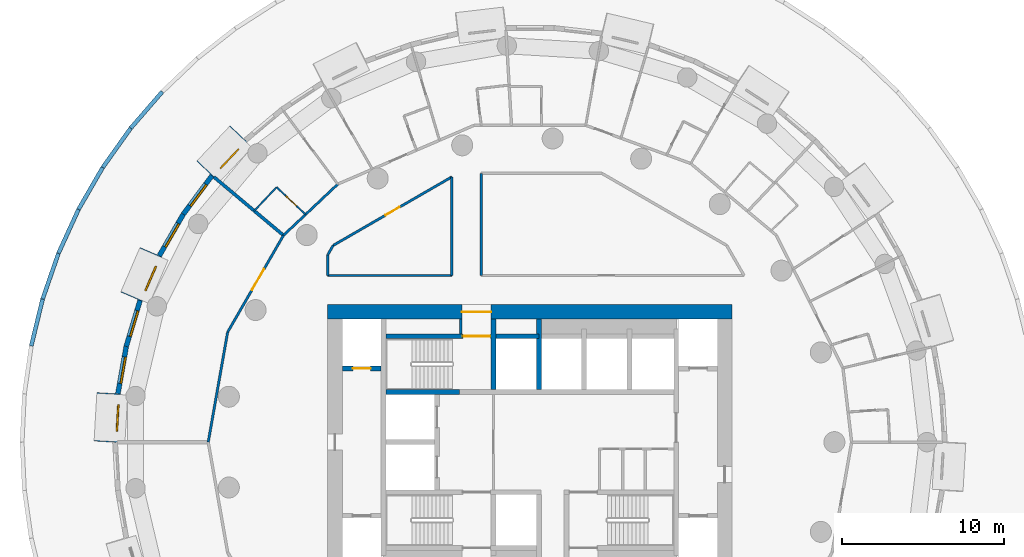
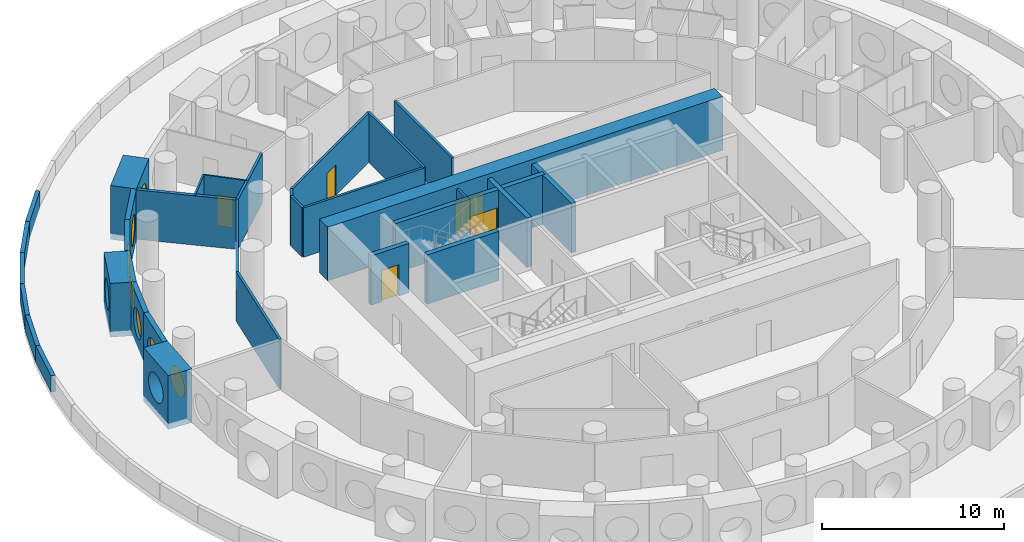
# One storey, part 6 of 13: 34 walls, 7 windows, 6 doors, 13 openings.
"""IFC4 building model written with IfcOpenShell, lengths in metres."""

from ifc_helpers import new_model, si_unit, direction, frame, frame_2d, origin, origin_2d, place, context, subcontext, project, spatial, rectangle, circle, extrude, material, layer, layer_set, type_object, element, fill, save


model = new_model("IFC4")

# Units and contexts
model_context = context("Model", 3, precision=1e-05, world=origin(), true_north=direction((0.0, 1.0)))
body_context = subcontext(model_context, "Body", "Model", "MODEL_VIEW")
ifc_project = project(units=[si_unit("LENGTHUNIT", "METRE"), si_unit("AREAUNIT", "SQUARE_METRE"), si_unit("VOLUMEUNIT", "CUBIC_METRE"), si_unit("PLANEANGLEUNIT", "RADIAN"), si_unit("MASSUNIT", "GRAM", prefix="KILO")], contexts=[model_context])

# Site, building, storey
site_placement = place(None, origin())
site = spatial("IfcSite", under=ifc_project, at=site_placement, CompositionType="ELEMENT")
building_placement = place(site_placement, origin())
building = spatial("IfcBuilding", under=site, at=building_placement, Name="Tracery Tower", CompositionType="ELEMENT")
storey_placement = place(building_placement, frame((0.0, 0.0, 126.0)))
storey = spatial("IfcBuildingStorey", under=building, at=storey_placement, Name="L31", CompositionType="ELEMENT", Elevation=126.0)

# Wall
ifc_material_1 = material(Name="Plasterboard on steel studs", Category="steel")
ifc_layer_1 = layer(ifc_material_1, 0.14990234375)
ifc_layer_set_1 = layer_set([ifc_layer_1], Name="Core room partition 150")
wall_type_1 = type_object("IfcWallType", Name="Core room partition 150", PredefinedType="SOLIDWALL", material=ifc_layer_set_1)
wall_1_placement = place(storey_placement, frame((-4.27490234375, 6.699951171875, 0.0), z_axis=(0.0, 0.0, 1.0), x_axis=(0.0, 1.0, 0.0)))
element("IfcWall", 1, at=wall_1_placement, inside=storey, type_object=wall_type_1, Name="L31 F N room", PredefinedType="SOLIDWALL", context=body_context, shape_type="SweptSolid", body=[
    extrude(rectangle(XDim=0.900146484375, YDim=0.14990234375, at=frame_2d((0.4501953125, 0.0))), origin(), (0.0, 0.0, 1.0), 3.300048828125),
])

# Wall, opening, door
ifc_material_2 = material(Name="Concrete C50/60", Category="concrete")
ifc_layer_2 = layer(ifc_material_2, 0.89990234375)
ifc_layer_set_2 = layer_set([ifc_layer_2], Name="Core wall 900 C50")
wall_type_2 = type_object("IfcWallType", Name="Core wall 900 C50", PredefinedType="SOLIDWALL", material=ifc_layer_set_2)
wall_2_placement = place(storey_placement, frame((-12.5, 8.050048828125, 0.0), z_axis=(0.0, 0.0, 1.0), x_axis=(1.0, 0.0, 0.0)))
wall_2 = element("IfcWall", 2, at=wall_2_placement, inside=storey, type_object=wall_type_2, Name="L31 outer N", PredefinedType="SOLIDWALL", context=body_context, shape_type="SweptSolid", body=[
    extrude(rectangle(XDim=25.0, YDim=0.89990234375, at=frame_2d((12.5, 0.0))), origin(), (0.0, 0.0, 1.0), 3.60009765625),
])
opening_1_placement = place(wall_2_placement, frame((8.300048828125, 0.0, 0.0)))
opening_1 = element("IfcOpeningElement", 3, at=opening_1_placement, cuts=wall_2, Name="Opening KD13", PredefinedType="OPENING", context=body_context, shape_type="SweptSolid", body=[
    extrude(rectangle(XDim=1.800048828125, YDim=2.10009765625, at=frame_2d((0.89990234375, 1.050048828125))), frame((0.0, 0.449951171875, 0.0), z_axis=(0.0, -1.0, 0.0), x_axis=(1.0, 0.0, 0.0)), (0.0, 0.0, 1.0), 0.89990234375),
])
ifc_material_3 = material(Name="Steel fire door", Category="steel")
door_type_1 = type_object("IfcDoorType", Name="Core exit door 1800 double", OperationType="NOTDEFINED", PredefinedType="DOOR", material=ifc_material_3)
door_1_placement = place(opening_1_placement, origin())
door_1 = element("IfcDoor", 4, at=door_1_placement, inside=storey, type_object=door_type_1, Name="Core exit door", OperationType="DOUBLE_DOOR_SINGLE_SWING", OverallHeight=2.10009765625, OverallWidth=1.800048828125, PredefinedType="DOOR", context=body_context, shape_type="SweptSolid", body=[
    extrude(rectangle(XDim=1.800048828125, YDim=2.10009765625, at=frame_2d((0.89990234375, 1.050048828125))), frame((0.0, 0.02490234375, 0.0), z_axis=(0.0, -1.0, 0.0), x_axis=(1.0, 0.0, 0.0)), (0.0, 0.0, 1.0), 0.050048828125),
])
fill(opening_1, door_1)

# Wall, opening, window
ifc_material_4 = material(Name="Precast concrete C50/60", Category="concrete")
ifc_layer_3 = layer(ifc_material_4, 1.449951171875)
ifc_layer_set_3 = layer_set([ifc_layer_3], Name="Deep-set bay unit 3000 x 3600, slab edge 300")
wall_type_3 = type_object("IfcWallType", Name="Deep-set bay unit 3000 x 3600, slab edge 300", PredefinedType="ELEMENTEDWALL", material=ifc_layer_set_3)
wall_3_placement = place(storey_placement, frame((-18.0126953125, 19.05615234375, -0.300048828125), z_axis=(0.0, 0.0, 1.0), x_axis=(-0.686217177108, -0.727396718334, 0.0)))
wall_3 = element("IfcWall", 5, at=wall_3_placement, inside=storey, type_object=wall_type_3, Name="Deep-set bay unit 21 at L31", PredefinedType="ELEMENTEDWALL", context=body_context, shape_type="SweptSolid", body=[
    extrude(rectangle(XDim=3.0, YDim=1.449951171875, at=frame_2d((1.5, 0.0))), origin(), (0.0, 0.0, 1.0), 3.60009765625),
])
opening_2_placement = place(wall_3_placement, frame((1.5, 0.0, 1.85009765625)))
opening_2 = element("IfcOpeningElement", 6, at=opening_2_placement, cuts=wall_3, Name="Opening WN1", PredefinedType="OPENING", context=body_context, shape_type="SweptSolid", body=[
    extrude(circle(Radius=0.9000244140625, at=origin_2d()), frame((0.0, 0.73486328125, 0.0), z_axis=(0.0, -1.0, 0.0), x_axis=(1.0, 0.0, 0.0)), (0.0, 0.0, 1.0), 1.469970703125),
])
ifc_material_5 = material(Name="Aluminium frame with tinted double glazing", Category="aluminium")
window_type = type_object("IfcWindowType", Name="Round window 1800", PartitioningType="SINGLE_PANEL", PredefinedType="WINDOW", material=ifc_material_5)
window_1_placement = place(opening_2_placement, origin())
window_1 = element("IfcWindow", 7, at=window_1_placement, inside=storey, type_object=window_type, Name="Round window 21 at L31", OverallHeight=1.800048828125, OverallWidth=1.800048828125, PartitioningType="SINGLE_PANEL", PredefinedType="WINDOW", context=body_context, shape_type="SweptSolid", body=[
    extrude(circle(Radius=0.9000244140625, at=origin_2d()), frame((0.0, 0.69482421875, 0.0), z_axis=(0.0, -1.0, 0.0), x_axis=(1.0, 0.0, 0.0)), (0.0, 0.0, 1.0), 0.10009765625),
])
fill(opening_2, window_1)

wall_4_placement = place(storey_placement, frame((-23.44384765625, 11.746337890625, -0.300048828125), z_axis=(0.0, 0.0, 1.0), x_axis=(-0.396079003245, -0.918216435917, 0.0)))
wall_4 = element("IfcWall", 8, at=wall_4_placement, inside=storey, type_object=wall_type_3, Name="Deep-set bay unit 24 at L31", PredefinedType="ELEMENTEDWALL", context=body_context, shape_type="SweptSolid", body=[
    extrude(rectangle(XDim=3.0, YDim=1.449951171875, at=frame_2d((1.5, 0.0))), origin(), (0.0, 0.0, 1.0), 3.60009765625),
])
opening_3_placement = place(wall_4_placement, frame((1.5, 0.0, 1.85009765625)))
opening_3 = element("IfcOpeningElement", 9, at=opening_3_placement, cuts=wall_4, Name="Opening WN1", PredefinedType="OPENING", context=body_context, shape_type="SweptSolid", body=[
    extrude(circle(Radius=0.9000244140625, at=origin_2d()), frame((0.0, 0.73486328125, 0.0), z_axis=(0.0, -1.0, 0.0), x_axis=(1.0, 0.0, 0.0)), (0.0, 0.0, 1.0), 1.469970703125),
])
window_2_placement = place(opening_3_placement, origin())
window_2 = element("IfcWindow", 10, at=window_2_placement, inside=storey, type_object=window_type, Name="Round window 24 at L31", OverallHeight=1.800048828125, OverallWidth=1.800048828125, PartitioningType="SINGLE_PANEL", PredefinedType="WINDOW", context=body_context, shape_type="SweptSolid", body=[
    extrude(circle(Radius=0.9000244140625, at=origin_2d()), frame((0.0, 0.69482421875, 0.0), z_axis=(0.0, -1.0, 0.0), x_axis=(1.0, 0.0, 0.0)), (0.0, 0.0, 1.0), 0.10009765625),
])
fill(opening_3, window_2)

wall_5_placement = place(storey_placement, frame((-26.047607421875, 3.01953125, -0.300048828125), z_axis=(0.0, 0.0, 1.0), x_axis=(-0.058106596105, -0.998310384344, 0.0)))
wall_5 = element("IfcWall", 11, at=wall_5_placement, inside=storey, type_object=wall_type_3, Name="Deep-set bay unit 27 at L31", PredefinedType="ELEMENTEDWALL", context=body_context, shape_type="SweptSolid", body=[
    extrude(rectangle(XDim=3.0, YDim=1.449951171875, at=frame_2d((1.5, 0.0))), origin(), (0.0, 0.0, 1.0), 3.60009765625),
])
opening_4_placement = place(wall_5_placement, frame((1.5, 0.0, 1.85009765625)))
opening_4 = element("IfcOpeningElement", 12, at=opening_4_placement, cuts=wall_5, Name="Opening WN1", PredefinedType="OPENING", context=body_context, shape_type="SweptSolid", body=[
    extrude(circle(Radius=0.9000244140625, at=origin_2d()), frame((0.0, 0.73486328125, 0.0), z_axis=(0.0, -1.0, 0.0), x_axis=(1.0, 0.0, 0.0)), (0.0, 0.0, 1.0), 1.469970703125),
])
window_3_placement = place(opening_4_placement, origin())
window_3 = element("IfcWindow", 13, at=window_3_placement, inside=storey, type_object=window_type, Name="Round window 27 at L31", OverallHeight=1.800048828125, OverallWidth=1.800048828125, PartitioningType="SINGLE_PANEL", PredefinedType="WINDOW", context=body_context, shape_type="SweptSolid", body=[
    extrude(circle(Radius=0.9000244140625, at=origin_2d()), frame((0.0, 0.69482421875, 0.0), z_axis=(0.0, -1.0, 0.0), x_axis=(1.0, 0.0, 0.0)), (0.0, 0.0, 1.0), 0.10009765625),
])
fill(opening_4, window_3)

ifc_material_6 = material(Name="Precast concrete C50/60", Category="concrete")
ifc_layer_4 = layer(ifc_material_6, 0.300048828125)
ifc_layer_set_4 = layer_set([ifc_layer_4], Name="Facade panel 3000 x 3300")
wall_type_4 = type_object("IfcWallType", Name="Facade panel 3000 x 3300", PredefinedType="SOLIDWALL", material=ifc_layer_set_4)
wall_6_placement = place(storey_placement, frame((-19.65283203125, 16.47802734375, 0.0), z_axis=(0.0, 0.0, 1.0), x_axis=(-0.597197580538, -0.80209416517, 0.0)))
wall_6 = element("IfcWall", 14, at=wall_6_placement, inside=storey, type_object=wall_type_4, Name="Facade panel 22 at L31", PredefinedType="SOLIDWALL", context=body_context, shape_type="SweptSolid", body=[
    extrude(rectangle(XDim=2.972900390625, YDim=0.300048828125, at=frame_2d((1.486328125, 0.0))), origin(), (0.0, 0.0, 1.0), 3.300048828125),
])
opening_5_placement = place(wall_6_placement, frame((1.486328125, 0.0, 1.5498046875)))
opening_5 = element("IfcOpeningElement", 15, at=opening_5_placement, cuts=wall_6, Name="Opening WN1", PredefinedType="OPENING", context=body_context, shape_type="SweptSolid", body=[
    extrude(circle(Radius=0.9000244140625, at=origin_2d()), frame((0.0, 0.159912109375, 0.0), z_axis=(0.0, -1.0, 0.0), x_axis=(1.0, 0.0, 0.0)), (0.0, 0.0, 1.0), 0.320068359375),
])
window_4_placement = place(opening_5_placement, origin())
window_4 = element("IfcWindow", 16, at=window_4_placement, inside=storey, type_object=window_type, Name="Round window 22 at L31", OverallHeight=1.800048828125, OverallWidth=1.800048828125, PartitioningType="SINGLE_PANEL", PredefinedType="WINDOW", context=body_context, shape_type="SweptSolid", body=[
    extrude(circle(Radius=0.9000244140625, at=origin_2d()), frame((0.0, 0.1201171875, 0.0), z_axis=(0.0, -1.0, 0.0), x_axis=(1.0, 0.0, 0.0)), (0.0, 0.0, 1.0), 0.10009765625),
])
fill(opening_5, window_4)

wall_7_placement = place(storey_placement, frame((-21.42822265625, 14.093505859375, 0.0), z_axis=(0.0, 0.0, 1.0), x_axis=(-0.499954672104, -0.866051572276, 0.0)))
wall_7 = element("IfcWall", 17, at=wall_7_placement, inside=storey, type_object=wall_type_4, Name="Facade panel 23 at L31", PredefinedType="SOLIDWALL", context=body_context, shape_type="SweptSolid", body=[
    extrude(rectangle(XDim=2.972900390625, YDim=0.300048828125, at=frame_2d((1.486328125, 0.0))), origin(), (0.0, 0.0, 1.0), 3.300048828125),
])
opening_6_placement = place(wall_7_placement, frame((1.486328125, 0.0, 1.5498046875)))
opening_6 = element("IfcOpeningElement", 18, at=opening_6_placement, cuts=wall_7, Name="Opening WN1", PredefinedType="OPENING", context=body_context, shape_type="SweptSolid", body=[
    extrude(circle(Radius=0.9000244140625, at=origin_2d()), frame((0.0, 0.159912109375, 0.0), z_axis=(0.0, -1.0, 0.0), x_axis=(1.0, 0.0, 0.0)), (0.0, 0.0, 1.0), 0.320068359375),
])
window_5_placement = place(opening_6_placement, origin())
window_5 = element("IfcWindow", 19, at=window_5_placement, inside=storey, type_object=window_type, Name="Round window 23 at L31", OverallHeight=1.800048828125, OverallWidth=1.800048828125, PartitioningType="SINGLE_PANEL", PredefinedType="WINDOW", context=body_context, shape_type="SweptSolid", body=[
    extrude(circle(Radius=0.9000244140625, at=origin_2d()), frame((0.0, 0.1201171875, 0.0), z_axis=(0.0, -1.0, 0.0), x_axis=(1.0, 0.0, 0.0)), (0.0, 0.0, 1.0), 0.10009765625),
])
fill(opening_6, window_5)

wall_8_placement = place(storey_placement, frame((-24.103515625, 8.7626953125, 0.0), z_axis=(0.0, 0.0, 1.0), x_axis=(-0.286782750849, -0.957995643944, 0.0)))
wall_8 = element("IfcWall", 20, at=wall_8_placement, inside=storey, type_object=wall_type_4, Name="Facade panel 25 at L31", PredefinedType="SOLIDWALL", context=body_context, shape_type="SweptSolid", body=[
    extrude(rectangle(XDim=2.97265625, YDim=0.300048828125, at=frame_2d((1.486328125, 0.0))), origin(), (0.0, 0.0, 1.0), 3.300048828125),
])
opening_7_placement = place(wall_8_placement, frame((1.486328125, 0.0, 1.5498046875)))
opening_7 = element("IfcOpeningElement", 21, at=opening_7_placement, cuts=wall_8, Name="Opening WN1", PredefinedType="OPENING", context=body_context, shape_type="SweptSolid", body=[
    extrude(circle(Radius=0.9000244140625, at=origin_2d()), frame((0.0, 0.159912109375, 0.0), z_axis=(0.0, -1.0, 0.0), x_axis=(1.0, 0.0, 0.0)), (0.0, 0.0, 1.0), 0.320068359375),
])
window_6_placement = place(opening_7_placement, origin())
window_6 = element("IfcWindow", 22, at=window_6_placement, inside=storey, type_object=window_type, Name="Round window 25 at L31", OverallHeight=1.800048828125, OverallWidth=1.800048828125, PartitioningType="SINGLE_PANEL", PredefinedType="WINDOW", context=body_context, shape_type="SweptSolid", body=[
    extrude(circle(Radius=0.9000244140625, at=origin_2d()), frame((0.0, 0.1201171875, 0.0), z_axis=(0.0, -1.0, 0.0), x_axis=(1.0, 0.0, 0.0)), (0.0, 0.0, 1.0), 0.10009765625),
])
fill(opening_7, window_6)

wall_9_placement = place(storey_placement, frame((-24.9560546875, 5.914794921875, 0.0), z_axis=(0.0, 0.0, 1.0), x_axis=(-0.173686952598, -0.984800915159, 0.0)))
wall_9 = element("IfcWall", 23, at=wall_9_placement, inside=storey, type_object=wall_type_4, Name="Facade panel 26 at L31", PredefinedType="SOLIDWALL", context=body_context, shape_type="SweptSolid", body=[
    extrude(rectangle(XDim=2.972900390625, YDim=0.300048828125, at=frame_2d((1.486328125, 0.0))), origin(), (0.0, 0.0, 1.0), 3.300048828125),
])
opening_8_placement = place(wall_9_placement, frame((1.486328125, 0.0, 1.5498046875)))
opening_8 = element("IfcOpeningElement", 24, at=opening_8_placement, cuts=wall_9, Name="Opening WN1", PredefinedType="OPENING", context=body_context, shape_type="SweptSolid", body=[
    extrude(circle(Radius=0.9000244140625, at=origin_2d()), frame((0.0, 0.159912109375, 0.0), z_axis=(0.0, -1.0, 0.0), x_axis=(1.0, 0.0, 0.0)), (0.0, 0.0, 1.0), 0.320068359375),
])
window_7_placement = place(opening_8_placement, origin())
window_7 = element("IfcWindow", 25, at=window_7_placement, inside=storey, type_object=window_type, Name="Round window 26 at L31", OverallHeight=1.800048828125, OverallWidth=1.800048828125, PartitioningType="SINGLE_PANEL", PredefinedType="WINDOW", context=body_context, shape_type="SweptSolid", body=[
    extrude(circle(Radius=0.9000244140625, at=origin_2d()), frame((0.0, 0.1201171875, 0.0), z_axis=(0.0, -1.0, 0.0), x_axis=(1.0, 0.0, 0.0)), (0.0, 0.0, 1.0), 0.10009765625),
])
fill(opening_8, window_7)

# Wall, opening, door
ifc_material_7 = material(Name="Plasterboard on steel studs", Category="steel")
ifc_layer_5 = layer(ifc_material_7, 0.10009765625)
ifc_layer_set_5 = layer_set([ifc_layer_5], Name="Partition 100 wet wall")
wall_type_5 = type_object("IfcWallType", Name="Partition 100 wet wall", PredefinedType="PARTITIONING", material=ifc_layer_set_5)
wall_10_placement = place(storey_placement, frame((-15.662109375, 15.762939453125, 0.0), z_axis=(0.0, 0.0, 1.0), x_axis=(0.727320856717, -0.686297582237, 0.0)))
wall_10 = element("IfcWall", 26, at=wall_10_placement, inside=storey, type_object=wall_type_5, Name="Wet wall RB1-073", PredefinedType="PARTITIONING", context=body_context, shape_type="SweptSolid", body=[
    extrude(rectangle(XDim=2.4638671875, YDim=0.10009765625, at=frame_2d((1.23193359375, 0.0))), origin(), (0.0, 0.0, 1.0), 3.300048828125),
])
opening_9_placement = place(wall_10_placement, frame((0.781982421875, 0.0, 0.0)))
opening_9 = element("IfcOpeningElement", 27, at=opening_9_placement, cuts=wall_10, Name="Opening RB1-25", PredefinedType="OPENING", context=body_context, shape_type="SweptSolid", body=[
    extrude(rectangle(XDim=0.89990234375, YDim=2.0400390625, at=frame_2d((0.449951171875, 1.02001953125))), frame((0.0, 0.050048828125, 0.0), z_axis=(0.0, -1.0, 0.0), x_axis=(1.0, 0.0, 0.0)), (0.0, 0.0, 1.0), 0.10009765625),
])
ifc_material_8 = material(Name="Timber door leaf", Category="wood")
door_type_2 = type_object("IfcDoorType", Name="Door en-suite 900", OperationType="NOTDEFINED", PredefinedType="DOOR", material=ifc_material_8)
door_2_placement = place(opening_9_placement, origin())
door_2 = element("IfcDoor", 28, at=door_2_placement, inside=storey, type_object=door_type_2, Name="En-suite door RB1-25", OperationType="SINGLE_SWING_RIGHT", OverallHeight=2.0400390625, OverallWidth=0.89990234375, PredefinedType="DOOR", context=body_context, shape_type="SweptSolid", body=[
    extrude(rectangle(XDim=0.89990234375, YDim=2.0400390625, at=frame_2d((0.449951171875, 1.02001953125))), frame((0.0, 0.02490234375, 0.0), z_axis=(0.0, -1.0, 0.0), x_axis=(1.0, 0.0, 0.0)), (0.0, 0.0, 1.0), 0.050048828125),
])
fill(opening_9, door_2)

# Walls
wall_11_placement = place(storey_placement, frame((-17.0419921875, 14.300048828125, 0.0), z_axis=(0.0, 0.0, 1.0), x_axis=(0.686167098493, 0.727443958629, 0.0)))
element("IfcWall", 29, at=wall_11_placement, inside=storey, type_object=wall_type_5, Name="Wet wall RB1-074", PredefinedType="PARTITIONING", context=body_context, shape_type="SweptSolid", body=[
    extrude(rectangle(XDim=2.010986328125, YDim=0.10009765625, at=frame_2d((1.00537109375, 0.0))), origin(), (0.0, 0.0, 1.0), 3.300048828125),
])
ifc_material_9 = material(Name="Plasterboard on steel studs", Category="steel")
ifc_layer_6 = layer(ifc_material_9, 0.14990234375)
ifc_layer_set_6 = layer_set([ifc_layer_6], Name="Partition 150 corridor wall")
wall_type_6 = type_object("IfcWallType", Name="Partition 150 corridor wall", PredefinedType="PARTITIONING", material=ifc_layer_set_6)
wall_12_placement = place(storey_placement, frame((-12.50390625, 10.300048828125, 0.0), z_axis=(0.0, 0.0, 1.0), x_axis=(1.0, 0.0, 0.0)))
element("IfcWall", 30, at=wall_12_placement, inside=storey, type_object=wall_type_6, Name="Corridor wall RB1-001", PredefinedType="PARTITIONING", context=body_context, shape_type="SweptSolid", body=[
    extrude(rectangle(XDim=7.68701171875, YDim=0.14990234375, at=frame_2d((3.843505859375, 0.0))), origin(), (0.0, 0.0, 1.0), 3.300048828125),
])
wall_13_placement = place(storey_placement, frame((-4.821044921875, 10.300048828125, 0.0), z_axis=(0.0, 0.0, 1.0), x_axis=(0.0, 1.0, 0.0)))
element("IfcWall", 31, at=wall_13_placement, inside=storey, type_object=wall_type_6, Name="Corridor wall RB1-013", PredefinedType="PARTITIONING", context=body_context, shape_type="SweptSolid", body=[
    extrude(rectangle(XDim=6.100830078125, YDim=0.14990234375, at=frame_2d((3.05029296875, 0.0))), origin(), (0.0, 0.0, 1.0), 3.300048828125),
])

# Wall, opening, door
wall_14_placement = place(storey_placement, frame((-12.162109375, 12.162109375, 0.0), z_axis=(0.0, 0.0, 1.0), x_axis=(0.866004766557, 0.500035743023, 0.0)))
wall_14 = element("IfcWall", 32, at=wall_14_placement, inside=storey, type_object=wall_type_6, Name="Corridor wall RB1-014", PredefinedType="PARTITIONING", context=body_context, shape_type="SweptSolid", body=[
    extrude(rectangle(XDim=8.47705078125, YDim=0.14990234375, at=frame_2d((4.238525390625, 0.0))), origin(), (0.0, 0.0, 1.0), 3.300048828125),
])
opening_10_placement = place(wall_14_placement, frame((3.739013671875, 0.0, 0.0)))
opening_10 = element("IfcOpeningElement", 33, at=opening_10_placement, cuts=wall_14, Name="Opening RB1-01", PredefinedType="OPENING", context=body_context, shape_type="SweptSolid", body=[
    extrude(rectangle(XDim=1.0, YDim=2.0400390625, at=frame_2d((0.5, 1.02001953125))), frame((0.0, 0.074951171875, 0.0), z_axis=(0.0, -1.0, 0.0), x_axis=(1.0, 0.0, 0.0)), (0.0, 0.0, 1.0), 0.14990234375),
])
ifc_material_10 = material(Name="Timber door leaf", Category="wood")
door_type_3 = type_object("IfcDoorType", Name="Door communal room 1000", OperationType="NOTDEFINED", PredefinedType="DOOR", material=ifc_material_10)
door_3_placement = place(opening_10_placement, origin())
door_3 = element("IfcDoor", 34, at=door_3_placement, inside=storey, type_object=door_type_3, Name="Communal room door RB1-01", OperationType="SINGLE_SWING_LEFT", OverallHeight=2.0400390625, OverallWidth=1.0, PredefinedType="DOOR", context=body_context, shape_type="SweptSolid", body=[
    extrude(rectangle(XDim=1.0, YDim=2.0400390625, at=frame_2d((0.5, 1.02001953125))), frame((0.0, 0.02490234375, 0.0), z_axis=(0.0, -1.0, 0.0), x_axis=(1.0, 0.0, 0.0)), (0.0, 0.0, 1.0), 0.050048828125),
])
fill(opening_10, door_3)

# Walls
wall_15_placement = place(storey_placement, frame((-3.02099609375, 10.300048828125, 0.0), z_axis=(0.0, 0.0, 1.0), x_axis=(0.0, 1.0, 0.0)))
element("IfcWall", 35, at=wall_15_placement, inside=storey, type_object=wall_type_6, Name="Corridor wall RB1-017", PredefinedType="PARTITIONING", context=body_context, shape_type="SweptSolid", body=[
    extrude(rectangle(XDim=6.31396484375, YDim=0.14990234375, at=frame_2d((3.156982421875, 0.0))), origin(), (0.0, 0.0, 1.0), 3.300048828125),
])
wall_16_placement = place(storey_placement, frame((-15.2353515625, 12.784423828125, 0.0), z_axis=(0.0, 0.0, 1.0), x_axis=(0.7275818654, 0.686020866403, 0.0)))
element("IfcWall", 36, at=wall_16_placement, inside=storey, type_object=wall_type_6, Name="Corridor wall RB1-022", PredefinedType="PARTITIONING", context=body_context, shape_type="SweptSolid", body=[
    extrude(rectangle(XDim=4.6171875, YDim=0.14990234375, at=frame_2d((2.30859375, 0.0))), origin(), (0.0, 0.0, 1.0), 3.300048828125),
])
wall_17_placement = place(storey_placement, frame((-12.5, 11.576904296875, 0.0), z_axis=(0.0, 0.0, 1.0), x_axis=(0.500024767483, 0.866011103799, 0.0)))
element("IfcWall", 37, at=wall_17_placement, inside=storey, type_object=wall_type_6, Name="Corridor wall RB1-023", PredefinedType="PARTITIONING", context=body_context, shape_type="SweptSolid", body=[
    extrude(rectangle(XDim=0.67578125, YDim=0.14990234375, at=frame_2d((0.337890625, 0.0))), origin(), (0.0, 0.0, 1.0), 3.300048828125),
])
wall_18_placement = place(storey_placement, frame((-12.5, 10.300048828125, 0.0), z_axis=(0.0, 0.0, 1.0), x_axis=(0.0, 1.0, 0.0)))
element("IfcWall", 38, at=wall_18_placement, inside=storey, type_object=wall_type_6, Name="Corridor wall RB1-024", PredefinedType="PARTITIONING", context=body_context, shape_type="SweptSolid", body=[
    extrude(rectangle(XDim=1.27685546875, YDim=0.14990234375, at=frame_2d((0.638427734375, 0.0))), origin(), (0.0, 0.0, 1.0), 3.300048828125),
])
wall_19_placement = place(storey_placement, frame((-19.887939453125, 0.0, 0.0), z_axis=(0.0, 0.0, 1.0), x_axis=(0.173728873845, 0.98479352069, 0.0)))
element("IfcWall", 39, at=wall_19_placement, inside=storey, type_object=wall_type_6, Name="Corridor wall RB1-027", PredefinedType="PARTITIONING", context=body_context, shape_type="SweptSolid", body=[
    extrude(rectangle(XDim=6.906982421875, YDim=0.14990234375, at=frame_2d((3.45361328125, 0.0))), origin(), (0.0, 0.0, 1.0), 3.300048828125),
])

# Wall, opening, door
wall_20_placement = place(storey_placement, frame((-18.68798828125, 6.802001953125, 0.0), z_axis=(0.0, 0.0, 1.0), x_axis=(0.499914202267, 0.866074933462, 0.0)))
wall_20 = element("IfcWall", 40, at=wall_20_placement, inside=storey, type_object=wall_type_6, Name="Corridor wall RB1-028", PredefinedType="PARTITIONING", context=body_context, shape_type="SweptSolid", body=[
    extrude(rectangle(XDim=6.906982421875, YDim=0.14990234375, at=frame_2d((3.45361328125, 0.0))), origin(), (0.0, 0.0, 1.0), 3.300048828125),
])
opening_11_placement = place(wall_20_placement, frame((3.00390625, 0.0, 0.0)))
opening_11 = element("IfcOpeningElement", 41, at=opening_11_placement, cuts=wall_20, Name="Opening RB1-26", PredefinedType="OPENING", context=body_context, shape_type="SweptSolid", body=[
    extrude(rectangle(XDim=1.5, YDim=2.10009765625, at=frame_2d((0.75, 1.050048828125))), frame((0.0, 0.074951171875, 0.0), z_axis=(0.0, -1.0, 0.0), x_axis=(1.0, 0.0, 0.0)), (0.0, 0.0, 1.0), 0.14990234375),
])
ifc_material_11 = material(Name="Timber door leaf", Category="wood")
door_type_4 = type_object("IfcDoorType", Name="Door double kitchen 1500", OperationType="NOTDEFINED", PredefinedType="DOOR", material=ifc_material_11)
door_4_placement = place(opening_11_placement, origin())
door_4 = element("IfcDoor", 42, at=door_4_placement, inside=storey, type_object=door_type_4, Name="Double kitchen door RB1-26", OperationType="DOUBLE_DOOR_SINGLE_SWING", OverallHeight=2.10009765625, OverallWidth=1.5, PredefinedType="DOOR", context=body_context, shape_type="SweptSolid", body=[
    extrude(rectangle(XDim=1.5, YDim=2.10009765625, at=frame_2d((0.75, 1.050048828125))), frame((0.0, 0.02490234375, 0.0), z_axis=(0.0, -1.0, 0.0), x_axis=(1.0, 0.0, 0.0)), (0.0, 0.0, 1.0), 0.050048828125),
])
fill(opening_11, door_4)

# Walls
ifc_material_12 = material(Name="Plasterboard on steel studs", Category="steel")
ifc_layer_7 = layer(ifc_material_12, 0.199951171875)
ifc_layer_set_7 = layer_set([ifc_layer_7], Name="Partition 200 compartment wall")
wall_type_7 = type_object("IfcWallType", Name="Partition 200 compartment wall", PredefinedType="PARTITIONING", material=ifc_layer_set_7)
wall_21_placement = place(storey_placement, frame((-19.531982421875, 16.388916015625, 0.0), z_axis=(0.0, 0.0, 1.0), x_axis=(0.76609059793, -0.642732600514, 0.0)))
element("IfcWall", 43, at=wall_21_placement, inside=storey, type_object=wall_type_7, Name="Compartment wall RB1-075", PredefinedType="PARTITIONING", context=body_context, shape_type="SweptSolid", body=[
    extrude(rectangle(XDim=5.60888671875, YDim=0.199951171875, at=frame_2d((2.804443359375, 0.0))), origin(), (0.0, 0.0, 1.0), 3.300048828125),
])
ifc_material_13 = material(Name="Concrete C50/60", Category="concrete")
ifc_layer_8 = layer(ifc_material_13, 0.300048828125)
ifc_layer_set_8 = layer_set([ifc_layer_8], Name="Shaft wall 300 C50")
wall_type_8 = type_object("IfcWallType", Name="Shaft wall 300 C50", PredefinedType="SOLIDWALL", material=ifc_layer_set_8)
wall_22_placement = place(storey_placement, frame((0.550048828125, 3.25, 0.0), z_axis=(0.0, 0.0, 1.0), x_axis=(0.0, 1.0, 0.0)))
element("IfcWall", 44, at=wall_22_placement, inside=storey, type_object=wall_type_8, Name="L31 HR sep 1", PredefinedType="SOLIDWALL", context=body_context, shape_type="SweptSolid", body=[
    extrude(rectangle(XDim=4.35009765625, YDim=0.300048828125, at=frame_2d((2.175048828125, 0.0))), origin(), (0.0, 0.0, 1.0), 3.300048828125),
])

# Wall, opening, door
wall_23_placement = place(storey_placement, frame((-11.60009765625, 4.550048828125, 0.0), z_axis=(0.0, 0.0, 1.0), x_axis=(1.0, 0.0, 0.0)))
wall_23 = element("IfcWall", 45, at=wall_23_placement, inside=storey, type_object=wall_type_8, Name="L31 MR W +4.55", PredefinedType="SOLIDWALL", context=body_context, shape_type="SweptSolid", body=[
    extrude(rectangle(XDim=2.400146484375, YDim=0.300048828125, at=frame_2d((1.2001953125, 0.0))), origin(), (0.0, 0.0, 1.0), 3.300048828125),
])
opening_12_placement = place(wall_23_placement, frame((0.64990234375, 0.0, 0.0)))
opening_12 = element("IfcOpeningElement", 46, at=opening_12_placement, cuts=wall_23, Name="Opening KD49", PredefinedType="OPENING", context=body_context, shape_type="SweptSolid", body=[
    extrude(rectangle(XDim=1.10009765625, YDim=2.10009765625, at=frame_2d((0.550048828125, 1.050048828125))), frame((0.0, 0.14990234375, 0.0), z_axis=(0.0, -1.0, 0.0), x_axis=(1.0, 0.0, 0.0)), (0.0, 0.0, 1.0), 0.300048828125),
])
ifc_material_14 = material(Name="Steel fire door", Category="steel")
door_type_5 = type_object("IfcDoorType", Name="Landing door 1100", OperationType="NOTDEFINED", PredefinedType="DOOR", material=ifc_material_14)
door_5_placement = place(opening_12_placement, origin())
door_5 = element("IfcDoor", 47, at=door_5_placement, inside=storey, type_object=door_type_5, Name="Landing door MR2", OperationType="SLIDING_TO_LEFT", OverallHeight=2.10009765625, OverallWidth=1.10009765625, PredefinedType="DOOR", context=body_context, shape_type="SweptSolid", body=[
    extrude(rectangle(XDim=1.10009765625, YDim=2.10009765625, at=frame_2d((0.550048828125, 1.050048828125))), frame((0.0, 0.02490234375, 0.0), z_axis=(0.0, -1.0, 0.0), x_axis=(1.0, 0.0, 0.0)), (0.0, 0.0, 1.0), 0.050048828125),
])
fill(opening_12, door_5)

# Walls
ifc_material_15 = material(Name="Concrete C50/60", Category="concrete")
ifc_layer_9 = layer(ifc_material_15, 0.300048828125)
ifc_layer_set_9 = layer_set([ifc_layer_9], Name="Stair wall 300 C50")
wall_type_9 = type_object("IfcWallType", Name="Stair wall 300 C50", PredefinedType="SOLIDWALL", material=ifc_layer_set_9)
wall_24_placement = place(storey_placement, frame((-8.89990234375, 3.10009765625, 0.0), z_axis=(0.0, 0.0, 1.0), x_axis=(1.0, 0.0, 0.0)))
element("IfcWall", 48, at=wall_24_placement, inside=storey, type_object=wall_type_9, Name="L31 row N W", PredefinedType="SOLIDWALL", context=body_context, shape_type="SweptSolid", body=[
    extrude(rectangle(XDim=4.5498046875, YDim=0.300048828125, at=frame_2d((2.27490234375, 0.0))), origin(), (0.0, 0.0, 1.0), 3.300048828125),
])
wall_25_placement = place(storey_placement, frame((-2.25, 3.25, 0.0), z_axis=(0.0, 0.0, 1.0), x_axis=(0.0, 1.0, 0.0)))
element("IfcWall", 49, at=wall_25_placement, inside=storey, type_object=wall_type_9, Name="L31 ST3 E", PredefinedType="SOLIDWALL", context=body_context, shape_type="SweptSolid", body=[
    extrude(rectangle(XDim=4.35009765625, YDim=0.300048828125, at=frame_2d((2.175048828125, 0.0))), origin(), (0.0, 0.0, 1.0), 3.300048828125),
])
wall_26_placement = place(storey_placement, frame((-8.89990234375, 6.550048828125, 0.0), z_axis=(0.0, 0.0, 1.0), x_axis=(1.0, 0.0, 0.0)))
element("IfcWall", 50, at=wall_26_placement, inside=storey, type_object=wall_type_9, Name="L31 F N W", PredefinedType="SOLIDWALL", context=body_context, shape_type="SweptSolid", body=[
    extrude(rectangle(XDim=4.699951171875, YDim=0.300048828125, at=frame_2d((2.35009765625, 0.0))), origin(), (0.0, 0.0, 1.0), 3.300048828125),
])

# Wall, opening, door
wall_27_placement = place(storey_placement, frame((-4.199951171875, 6.550048828125, 0.0), z_axis=(0.0, 0.0, 1.0), x_axis=(1.0, 0.0, 0.0)))
wall_27 = element("IfcWall", 51, at=wall_27_placement, inside=storey, type_object=wall_type_9, Name="L31 F stair N", PredefinedType="SOLIDWALL", context=body_context, shape_type="SweptSolid", body=[
    extrude(rectangle(XDim=1.800048828125, YDim=0.300048828125, at=frame_2d((0.89990234375, 0.0))), origin(), (0.0, 0.0, 1.0), 3.300048828125),
])
opening_13_placement = place(wall_27_placement, frame((0.050048828125, 0.0, 0.0)))
opening_13 = element("IfcOpeningElement", 52, at=opening_13_placement, cuts=wall_27, Name="Opening KD3", PredefinedType="OPENING", context=body_context, shape_type="SweptSolid", body=[
    extrude(rectangle(XDim=1.699951171875, YDim=2.10009765625, at=frame_2d((0.85009765625, 1.050048828125))), frame((0.0, 0.14990234375, 0.0), z_axis=(0.0, -1.0, 0.0), x_axis=(1.0, 0.0, 0.0)), (0.0, 0.0, 1.0), 0.300048828125),
])
ifc_material_16 = material(Name="Steel fire door", Category="steel")
door_type_6 = type_object("IfcDoorType", Name="Core stair door 1700 double", OperationType="NOTDEFINED", PredefinedType="DOOR", material=ifc_material_16)
door_6_placement = place(opening_13_placement, origin())
door_6 = element("IfcDoor", 53, at=door_6_placement, inside=storey, type_object=door_type_6, Name="Stair door vest", OperationType="DOUBLE_DOOR_SINGLE_SWING", OverallHeight=2.10009765625, OverallWidth=1.699951171875, PredefinedType="DOOR", context=body_context, shape_type="SweptSolid", body=[
    extrude(rectangle(XDim=1.699951171875, YDim=2.10009765625, at=frame_2d((0.85009765625, 1.050048828125))), frame((0.0, 0.02490234375, 0.0), z_axis=(0.0, -1.0, 0.0), x_axis=(1.0, 0.0, 0.0)), (0.0, 0.0, 1.0), 0.050048828125),
])
fill(opening_13, door_6)

# Walls
wall_28_placement = place(storey_placement, frame((-2.10009765625, 6.550048828125, 0.0), z_axis=(0.0, 0.0, 1.0), x_axis=(1.0, 0.0, 0.0)))
element("IfcWall", 54, at=wall_28_placement, inside=storey, type_object=wall_type_9, Name="L31 F N E1", PredefinedType="SOLIDWALL", context=body_context, shape_type="SweptSolid", body=[
    extrude(rectangle(XDim=2.650146484375, YDim=0.300048828125, at=frame_2d((1.3251953125, 0.0))), origin(), (0.0, 0.0, 1.0), 3.300048828125),
])
ifc_material_17 = material(Name="Precast concrete C50/60", Category="concrete")
ifc_layer_10 = layer(ifc_material_17, 0.25)
ifc_layer_set_10 = layer_set([ifc_layer_10], Name="Terrace parapet 250")
wall_type_10 = type_object("IfcWallType", Name="Terrace parapet 250", PredefinedType="PARAPET", material=ifc_layer_set_10)
wall_29_placement = place(storey_placement, frame((-22.7294921875, 21.662841796875, 0.0), z_axis=(0.0, 0.0, 1.0), x_axis=(-0.654818024412, -0.755786580263, 0.0)))
element("IfcWall", 55, at=wall_29_placement, inside=storey, type_object=wall_type_10, Name="Terrace parapet L31 26", PredefinedType="PARAPET", context=body_context, shape_type="SweptSolid", body=[
    extrude(rectangle(XDim=2.97412109375, YDim=0.25, at=frame_2d((1.487060546875, 0.0))), origin(), (0.0, 0.0, 1.0), 1.10009765625),
])
wall_30_placement = place(storey_placement, frame((-24.685791015625, 19.404296875, 0.0), z_axis=(0.0, 0.0, 1.0), x_axis=(-0.580010699198, -0.814608856332, 0.0)))
element("IfcWall", 56, at=wall_30_placement, inside=storey, type_object=wall_type_10, Name="Terrace parapet L31 27", PredefinedType="PARAPET", context=body_context, shape_type="SweptSolid", body=[
    extrude(rectangle(XDim=2.974365234375, YDim=0.25, at=frame_2d((1.4873046875, 0.0))), origin(), (0.0, 0.0, 1.0), 1.10009765625),
])
for number, where, z_axis, x_axis, name in (
    (57, (-26.41845703125, 16.9697265625, 0.0), (0.0, 0.0, 1.0), (-0.499997208602, -0.866027015393, 0.0), "Terrace parapet L31 28"),
    (58, (-27.911865234375, 14.381591796875, 0.0), (0.0, 0.0, 1.0), (-0.415447402248, -0.909617202985, 0.0), "Terrace parapet L31 29"),
    (59, (-29.152587890625, 11.663330078125, 0.0), (0.0, 0.0, 1.0), (-0.327042896484, -0.945009494058, 0.0), "Terrace parapet L31 30"),
    (60, (-30.129150390625, 8.839599609375, 0.0), (0.0, 0.0, 1.0), (-0.235750382892, -0.971813643126, 0.0), "Terrace parapet L31 31"),
):
    element("IfcWall", number, at=place(storey_placement, frame(where, z_axis=z_axis, x_axis=x_axis)), inside=storey, type_object=wall_type_10, Name=name, PredefinedType="PARAPET", context=body_context, shape_type="SweptSolid", body=[
        extrude(rectangle(XDim=2.97412109375, YDim=0.25, at=frame_2d((1.487060546875, 0.0))), origin(), (0.0, 0.0, 1.0), 1.10009765625),
    ])

save(model, "model.ifc")
